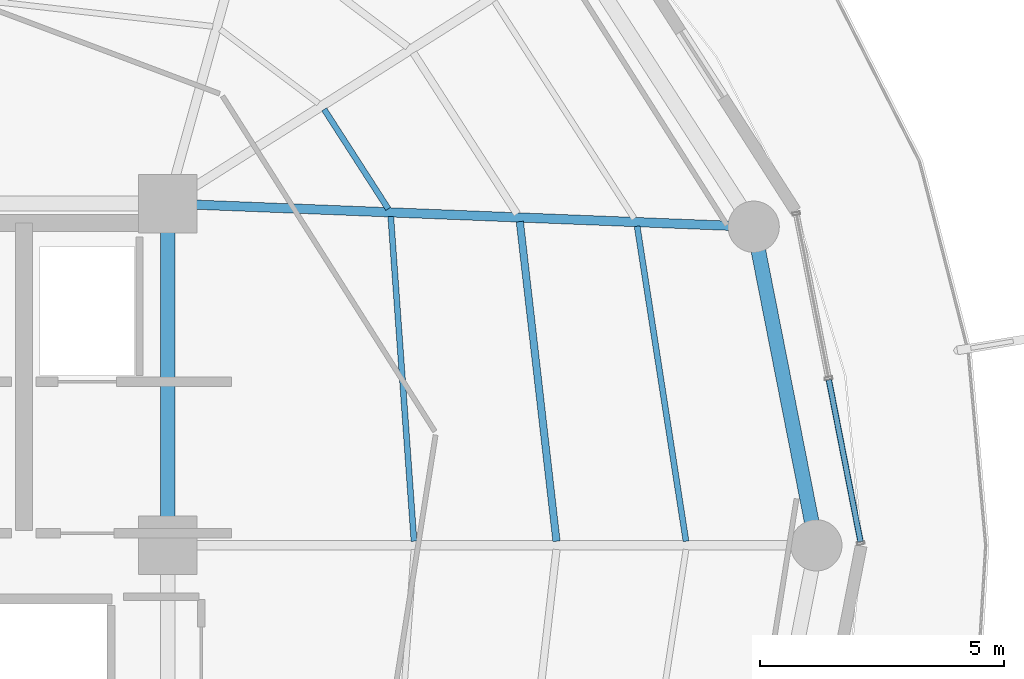
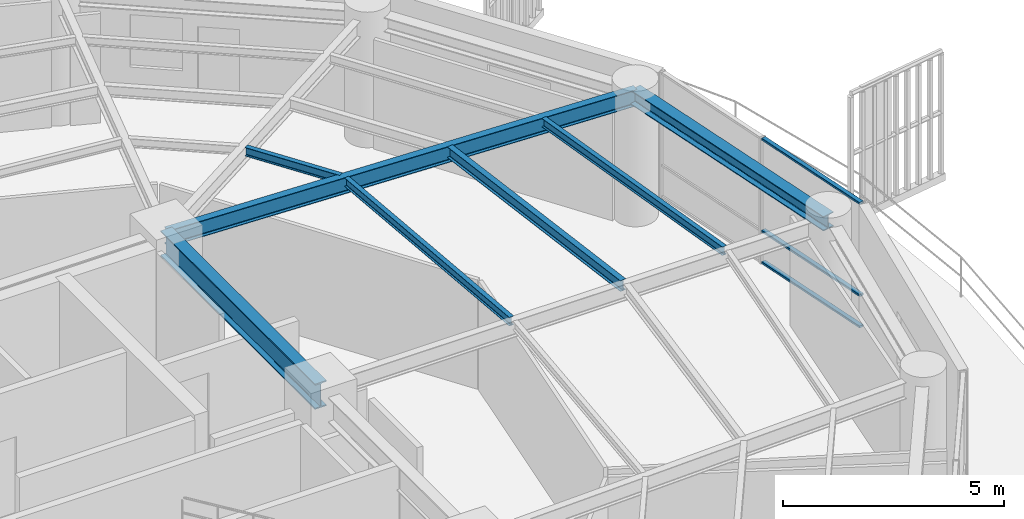
# One storey, part 14 of 30: 7 beams, 3 members, 1 element without a shape of its own.
"""IFC4 building model written with IfcOpenShell, lengths in metres."""

from ifc_helpers import new_model, si_unit, direction, frame, origin, origin_2d, place, context, subcontext, project, spatial, hollow_rectangle, i_section, extrude, material, layer, layer_set, material_profile, profile_set, type_object, element, aggregate, save


model = new_model("IFC4")

# Units and contexts
model_context = context("Model", 3, precision=1e-05, world=origin(), true_north=direction((0.0, 1.0)))
body_context = subcontext(model_context, "Body", "Model", "MODEL_VIEW")
ifc_project = project(units=[si_unit("LENGTHUNIT", "METRE"), si_unit("AREAUNIT", "SQUARE_METRE"), si_unit("VOLUMEUNIT", "CUBIC_METRE"), si_unit("PLANEANGLEUNIT", "RADIAN"), si_unit("MASSUNIT", "GRAM", prefix="KILO")], contexts=[model_context])

# Site, building, storey
site_placement = place(None, origin())
site = spatial("IfcSite", under=ifc_project, at=site_placement, CompositionType="ELEMENT")
building_placement = place(site_placement, origin())
building = spatial("IfcBuilding", under=site, at=building_placement, Name="Kelanora Arch Commons", CompositionType="ELEMENT")
storey_placement = place(building_placement, frame((0.0, 0.0, 208.199951171875)))
storey = spatial("IfcBuildingStorey", under=building, at=storey_placement, Name="L53", CompositionType="ELEMENT", Elevation=208.199951171875)

# Beams
ifc_material_1 = material(Name="Steel S355", Category="steel")
ifc_material_profile_1 = material_profile(ifc_material_1, i_section(OverallWidth=0.300048828125, OverallDepth=0.699951171875, WebThickness=0.01708984375, FlangeThickness=0.031982421875, FilletRadius=0.027099609375, at=origin_2d()), Name="HEB700")
ifc_profile_set_1 = profile_set([ifc_material_profile_1], Name="Steel S355")
beam_type_1 = type_object("IfcBeamType", Name="BM-CORE-HDR", PredefinedType="BEAM", material=ifc_profile_set_1)
beam_1_placement = place(storey_placement, frame((82.0, 58.0, 3.14013671875), z_axis=(0.0, 1.0, 0.0), x_axis=(-1.0, 0.0, 0.0)))
element("IfcBeam", 1, at=beam_1_placement, inside=storey, type_object=beam_type_1, Name="Core Header Beam 04 L53", PredefinedType="BEAM", context=body_context, shape_type="SweptSolid", body=[
    extrude(i_section(OverallWidth=0.300048828125, OverallDepth=0.699951171875, WebThickness=0.01708984375, FlangeThickness=0.031982421875, FilletRadius=0.027099609375, at=origin_2d()), origin(), (0.0, 0.0, 1.0), 7.0),
])
ifc_material_profile_2 = material_profile(ifc_material_1, i_section(OverallWidth=0.14990234375, OverallDepth=0.300048828125, WebThickness=0.007080078125, FlangeThickness=0.0107421875, FilletRadius=0.014892578125, at=origin_2d()), Name="IPE300")
ifc_profile_set_2 = profile_set([ifc_material_profile_2], Name="Steel S355")
beam_type_2 = type_object("IfcBeamType", Name="BM-JST-01", PredefinedType="JOIST", material=ifc_profile_set_2)
beam_2_placement = place(storey_placement, frame((89.958251953125, 58.08447265625, 3.340087890625), z_axis=(-0.113891408177, 0.993493204377, 0.0), x_axis=(-0.993493204377, -0.113891408177, 0.0)))
element("IfcBeam", 2, at=beam_2_placement, inside=storey, type_object=beam_type_2, Name="Secondary Chord Joist BJB-00 L53", PredefinedType="JOIST", context=body_context, shape_type="SweptSolid", body=[
    extrude(i_section(OverallWidth=0.14990234375, OverallDepth=0.300048828125, WebThickness=0.007080078125, FlangeThickness=0.0107421875, FilletRadius=0.014892578125, at=origin_2d()), origin(), (0.0, 0.0, 1.0), 6.589599609375),
])
ifc_material_profile_3 = material_profile(ifc_material_1, i_section(OverallWidth=0.1201171875, OverallDepth=0.239990234375, WebThickness=0.006103515625, FlangeThickness=0.009765625, FilletRadius=0.014892578125, at=origin_2d()), Name="IPE240")
ifc_profile_set_3 = profile_set([ifc_material_profile_3], Name="Steel S355")
beam_type_3 = type_object("IfcBeamType", Name="BM-JST-02", PredefinedType="JOIST", material=ifc_profile_set_3)
beam_3_placement = place(storey_placement, frame((87.040283203125, 58.084716796875, 3.3701171875), z_axis=(-0.07133032136, 0.997452748382, 0.0), x_axis=(-0.997452748382, -0.07133032136, 0.0)))
element("IfcBeam", 3, at=beam_3_placement, inside=storey, type_object=beam_type_3, Name="Secondary Chord Joist BJA-00 L53", PredefinedType="JOIST", context=body_context, shape_type="SweptSolid", body=[
    extrude(i_section(OverallWidth=0.1201171875, OverallDepth=0.239990234375, WebThickness=0.006103515625, FlangeThickness=0.009765625, FilletRadius=0.014892578125, at=origin_2d()), origin(), (0.0, 0.0, 1.0), 6.66748046875),
])
beam_4_placement = place(storey_placement, frame((92.611083984375, 58.083984375, 3.3701171875), z_axis=(-0.153256756152, 0.988186402808, 0.0), x_axis=(-0.988186402808, -0.153256756152, 0.0)))
element("IfcBeam", 4, at=beam_4_placement, inside=storey, type_object=beam_type_3, Name="Secondary Chord Joist BJC-00 L53", PredefinedType="JOIST", context=body_context, shape_type="SweptSolid", body=[
    extrude(i_section(OverallWidth=0.1201171875, OverallDepth=0.239990234375, WebThickness=0.006103515625, FlangeThickness=0.009765625, FilletRadius=0.014892578125, at=origin_2d()), origin(), (0.0, 0.0, 1.0), 6.52978515625),
])
beam_5_placement = place(storey_placement, frame((86.5126953125, 64.89111328125, 3.3701171875), z_axis=(-0.541332763503, 0.840808443796, 0.0), x_axis=(-0.840808443796, -0.541332763503, 0.0)))
element("IfcBeam", 5, at=beam_5_placement, inside=storey, type_object=beam_type_3, Name="Secondary Chord Joist BJA-02 L53", PredefinedType="JOIST", context=body_context, shape_type="SweptSolid", body=[
    extrude(i_section(OverallWidth=0.1201171875, OverallDepth=0.239990234375, WebThickness=0.006103515625, FlangeThickness=0.009765625, FilletRadius=0.014892578125, at=origin_2d()), origin(), (0.0, 0.0, 1.0), 2.423583984375),
])
ifc_material_profile_4 = material_profile(ifc_material_1, i_section(OverallWidth=0.18994140625, OverallDepth=0.449951171875, WebThickness=0.009521484375, FlangeThickness=0.0146484375, FilletRadius=0.02099609375, at=origin_2d()), Name="IPE450")
ifc_profile_set_4 = profile_set([ifc_material_profile_4], Name="Steel S355")
beam_type_4 = type_object("IfcBeamType", Name="BM-RAD-Z4", PredefinedType="BEAM", material=ifc_profile_set_4)
beam_6_placement = place(storey_placement, frame((82.0, 65.0, 3.26513671875), z_axis=(0.999219142585, -0.03951082246, 0.0), x_axis=(0.03951082246, 0.999219142585, 0.0)))
element("IfcBeam", 6, at=beam_6_placement, inside=storey, type_object=beam_type_4, Name="Radial Floor Girder BR-02 L53", PredefinedType="BEAM", context=body_context, shape_type="SweptSolid", body=[
    extrude(i_section(OverallWidth=0.18994140625, OverallDepth=0.449951171875, WebThickness=0.009521484375, FlangeThickness=0.0146484375, FilletRadius=0.02099609375, at=origin_2d()), origin(), (0.0, 0.0, 1.0), 12.005859375),
])
ifc_material_profile_5 = material_profile(ifc_material_1, i_section(OverallWidth=0.300048828125, OverallDepth=0.39990234375, WebThickness=0.013427734375, FlangeThickness=0.02392578125, FilletRadius=0.027099609375, at=origin_2d()), Name="HEB400")
ifc_profile_set_5 = profile_set([ifc_material_profile_5], Name="Steel S355")
beam_type_5 = type_object("IfcBeamType", Name="BM-SPN-Z4", PredefinedType="SPANDREL", material=ifc_profile_set_5)
beam_7_placement = place(storey_placement, frame((95.280029296875, 58.0, 3.2900390625), z_axis=(-0.192980724826, 0.981202547819, 0.0), x_axis=(-0.981202547819, -0.192980724826, 0.0)))
element("IfcBeam", 7, at=beam_7_placement, inside=storey, type_object=beam_type_5, Name="Perimeter Spandrel Beam BS-00 L53", PredefinedType="SPANDREL", context=body_context, shape_type="SweptSolid", body=[
    extrude(i_section(OverallWidth=0.300048828125, OverallDepth=0.39990234375, WebThickness=0.013427734375, FlangeThickness=0.02392578125, FilletRadius=0.027099609375, at=origin_2d()), origin(), (0.0, 0.0, 1.0), 6.650634765625),
])

# Curtain wall, members
ifc_material_2 = material(Name="Terracotta ceramic-fritted low-E glass and aluminium", Category="masonry")
ifc_layer = layer(ifc_material_2, 0.175048828125)
ifc_layer_set = layer_set([ifc_layer], Name="Terracotta ceramic-fritted low-E glass and aluminium")
curtain_wall_type = type_object("IfcCurtainWallType", Name="CW-SYS-02", PredefinedType="NOTDEFINED", material=ifc_layer_set)
curtain_wall_placement = place(storey_placement, origin())
curtain_wall = element("IfcCurtainWall", 8, at=curtain_wall_placement, inside=storey, type_object=curtain_wall_type, Name="Unitised Curtain Wall L53-B00", PredefinedType="NOTDEFINED")
ifc_material_3 = material(Name="Powder-coated aluminium terracotta", Category="masonry")
ifc_material_profile_6 = material_profile(ifc_material_3, hollow_rectangle(XDim=0.1201171875, YDim=0.06005859375, WallThickness=0.0048828125, InnerFilletRadius=0.0048828125, OuterFilletRadius=0.010009765625, at=origin_2d()), Name="CWT120x60")
ifc_profile_set_6 = profile_set([ifc_material_profile_6], Name="Powder-coated aluminium terracotta")
member_type = type_object("IfcMemberType", Name="CWT-STD", PredefinedType="USERDEFINED", material=ifc_profile_set_6)
member_1_placement = place(storey_placement, frame((96.185546875, 58.073486328125, 0.030029296875), z_axis=(-0.192044874899, 0.981386145218, 0.0), x_axis=(-0.981386145218, -0.192044874899, 0.0)))
member_1 = element("IfcMember", 9, at=member_1_placement, type_object=member_type, Name="CW-02 transom 1.1", ObjectType="TRANSOM", PredefinedType="USERDEFINED", context=body_context, shape_type="SweptSolid", body=[
    extrude(hollow_rectangle(XDim=0.1201171875, YDim=0.06005859375, WallThickness=0.0048828125, InnerFilletRadius=0.0048828125, OuterFilletRadius=0.010009765625, at=origin_2d()), origin(), (0.0, 0.0, 1.0), 3.38037109375),
])
member_2_placement = place(storey_placement, frame((96.185546875, 58.073486328125, 0.900146484375), z_axis=(-0.192044874899, 0.981386145218, 0.0), x_axis=(-0.981386145218, -0.192044874899, 0.0)))
member_2 = element("IfcMember", 10, at=member_2_placement, type_object=member_type, Name="CW-02 transom 1.2", ObjectType="TRANSOM", PredefinedType="USERDEFINED", context=body_context, shape_type="SweptSolid", body=[
    extrude(hollow_rectangle(XDim=0.1201171875, YDim=0.06005859375, WallThickness=0.0048828125, InnerFilletRadius=0.0048828125, OuterFilletRadius=0.010009765625, at=origin_2d()), origin(), (0.0, 0.0, 1.0), 3.38037109375),
])
member_3_placement = place(storey_placement, frame((96.185546875, 58.073486328125, 3.445068359375), z_axis=(-0.192044874899, 0.981386145218, 0.0), x_axis=(-0.981386145218, -0.192044874899, 0.0)))
member_3 = element("IfcMember", 11, at=member_3_placement, type_object=member_type, Name="CW-02 transom 1.3", ObjectType="TRANSOM", PredefinedType="USERDEFINED", context=body_context, shape_type="SweptSolid", body=[
    extrude(hollow_rectangle(XDim=0.1201171875, YDim=0.06005859375, WallThickness=0.0048828125, InnerFilletRadius=0.0048828125, OuterFilletRadius=0.010009765625, at=origin_2d()), origin(), (0.0, 0.0, 1.0), 3.38037109375),
])
aggregate(curtain_wall, [member_1, member_2, member_3])

save(model, "model.ifc")
